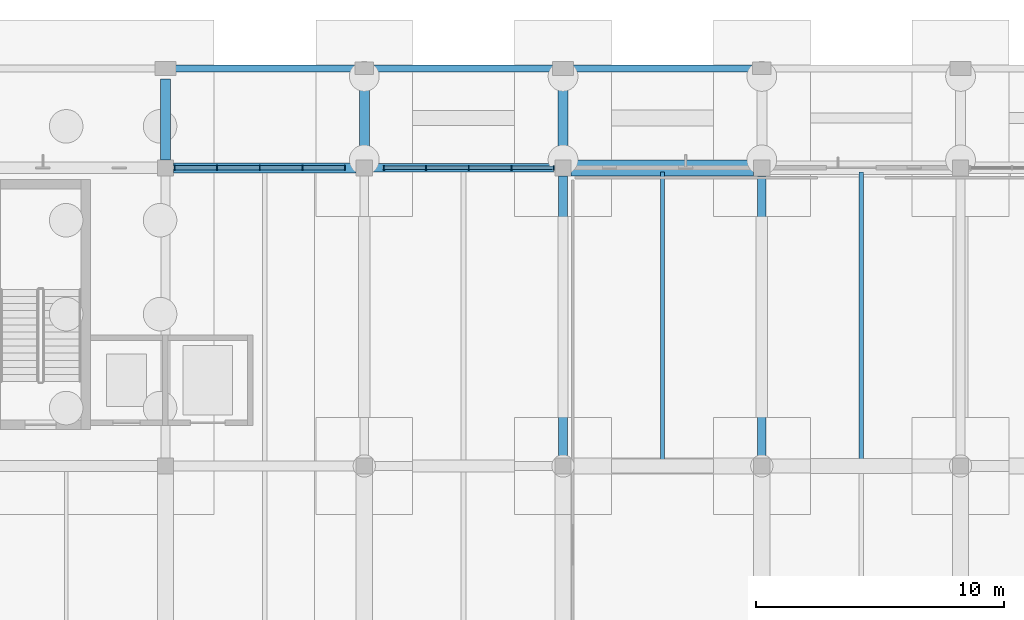
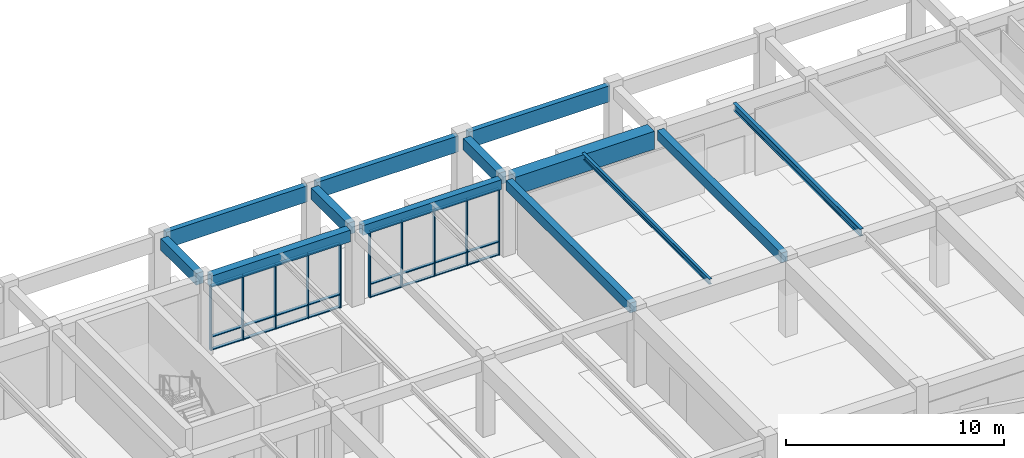
# One storey, part 31 of 84: 34 members, 13 beams, 2 elements without a shape of their own.
"""IFC4 building model written with IfcOpenShell, lengths in metres."""

from ifc_helpers import new_model, si_unit, direction, frame, origin, origin_2d, place, context, subcontext, project, spatial, rectangle, i_section, extrude, material, material_profile, profile_set, type_object, element, aggregate, save


model = new_model("IFC4")

# Units and contexts
model_context = context("Model", 3, precision=1e-05, world=origin(), true_north=direction((0.0, 1.0)))
body_context = subcontext(model_context, "Body", "Model", "MODEL_VIEW")
ifc_project = project(units=[si_unit("LENGTHUNIT", "METRE"), si_unit("AREAUNIT", "SQUARE_METRE"), si_unit("VOLUMEUNIT", "CUBIC_METRE"), si_unit("PLANEANGLEUNIT", "RADIAN"), si_unit("MASSUNIT", "GRAM", prefix="KILO")], contexts=[model_context])

# Site, building, storey
site_placement = place(None, origin())
site = spatial("IfcSite", under=ifc_project, at=site_placement, CompositionType="ELEMENT")
building_placement = place(site_placement, origin())
building = spatial("IfcBuilding", under=site, at=building_placement, Name="Larkveld Mobility Hub", CompositionType="ELEMENT")
storey_placement = place(building_placement, origin())
storey = spatial("IfcBuildingStorey", under=building, at=storey_placement, Name="L00", CompositionType="ELEMENT", Elevation=0.0)

# Beams
ifc_material_1 = material(Name="Concrete C40/50", Category="concrete")
ifc_material_profile_1 = material_profile(ifc_material_1, rectangle(XDim=0.35009765625, YDim=0.550048828125, at=origin_2d()), Name="RC BM 350x550")
ifc_profile_set_1 = profile_set([ifc_material_profile_1], Name="Concrete C40/50")
beam_type_1 = type_object("IfcBeamType", Name="BM-RC3555", PredefinedType="BEAM", material=ifc_profile_set_1)
beam_1_placement = place(storey_placement, frame((40.324951171875, 122.0, 3.985107421875), z_axis=(1.0, 0.0, 0.0), x_axis=(0.0, 1.0, 0.0)))
element("IfcBeam", 1, at=beam_1_placement, inside=storey, type_object=beam_type_1, Name="Primary E-W Girder L00-0089", PredefinedType="BEAM", context=body_context, shape_type="SweptSolid", body=[
    extrude(rectangle(XDim=0.35009765625, YDim=0.550048828125, at=origin_2d()), origin(), (0.0, 0.0, 1.0), 7.35009765625),
])
for number, where, z_axis, x_axis, name in (
    (2, (48.0, 110.324951171875, 3.985107421875), (0.0, 1.0, 0.0), (-1.0, 0.0, 0.0), "Primary N-S Girder L00-0133"),
    (3, (56.0, 110.324951171875, 3.985107421875), (0.0, 1.0, 0.0), (-1.0, 0.0, 0.0), "Primary N-S Girder L00-0136"),
):
    element("IfcBeam", number, at=place(storey_placement, frame(where, z_axis=z_axis, x_axis=x_axis)), inside=storey, type_object=beam_type_1, Name=name, PredefinedType="BEAM", context=body_context, shape_type="SweptSolid", body=[
        extrude(rectangle(XDim=0.35009765625, YDim=0.550048828125, at=origin_2d()), origin(), (0.0, 0.0, 1.0), 11.35009765625),
    ])
ifc_material_profile_2 = material_profile(ifc_material_1, rectangle(XDim=0.39990234375, YDim=0.64990234375, at=origin_2d()), Name="RC BM 400x650")
ifc_profile_set_2 = profile_set([ifc_material_profile_2], Name="Concrete C40/50")
beam_type_2 = type_object("IfcBeamType", Name="BM-RC4065", PredefinedType="BEAM", material=ifc_profile_set_2)
beam_2_placement = place(storey_placement, frame((32.324951171875, 122.0, 3.93505859375), z_axis=(1.0, 0.0, 0.0), x_axis=(0.0, 1.0, 0.0)))
element("IfcBeam", 4, at=beam_2_placement, inside=storey, type_object=beam_type_2, Name="Primary E-W Girder L00-0088", PredefinedType="BEAM", context=body_context, shape_type="SweptSolid", body=[
    extrude(rectangle(XDim=0.39990234375, YDim=0.64990234375, at=origin_2d()), origin(), (0.0, 0.0, 1.0), 7.35009765625),
])
beam_3_placement = place(storey_placement, frame((32.0, 122.324951171875, 3.93505859375), z_axis=(0.0, 1.0, 0.0), x_axis=(-1.0, 0.0, 0.0)))
element("IfcBeam", 5, at=beam_3_placement, inside=storey, type_object=beam_type_2, Name="Primary N-S Girder L00-0128", PredefinedType="BEAM", context=body_context, shape_type="SweptSolid", body=[
    extrude(rectangle(XDim=0.39990234375, YDim=0.64990234375, at=origin_2d()), origin(), (0.0, 0.0, 1.0), 3.25),
])
beam_4_placement = place(storey_placement, frame((40.0, 122.324951171875, 3.93505859375), z_axis=(0.0, 1.0, 0.0), x_axis=(-1.0, 0.0, 0.0)))
element("IfcBeam", 6, at=beam_4_placement, inside=storey, type_object=beam_type_2, Name="Primary N-S Girder L00-0131", PredefinedType="BEAM", context=body_context, shape_type="SweptSolid", body=[
    extrude(rectangle(XDim=0.39990234375, YDim=0.64990234375, at=origin_2d()), origin(), (0.0, 0.0, 1.0), 3.300048828125),
])
beam_5_placement = place(storey_placement, frame((48.0, 122.324951171875, 3.93505859375), z_axis=(0.0, 1.0, 0.0), x_axis=(-1.0, 0.0, 0.0)))
element("IfcBeam", 7, at=beam_5_placement, inside=storey, type_object=beam_type_2, Name="Primary N-S Girder L00-0134", PredefinedType="BEAM", context=body_context, shape_type="SweptSolid", body=[
    extrude(rectangle(XDim=0.39990234375, YDim=0.64990234375, at=origin_2d()), origin(), (0.0, 0.0, 1.0), 3.25),
])
ifc_material_profile_3 = material_profile(ifc_material_1, rectangle(XDim=0.64990234375, YDim=1.0, at=origin_2d()), Name="RC BM 650x1000")
ifc_profile_set_3 = profile_set([ifc_material_profile_3], Name="Concrete C40/50")
beam_type_3 = type_object("IfcBeamType", Name="BM-RC65100", PredefinedType="BEAM", material=ifc_profile_set_3)
beam_6_placement = place(storey_placement, frame((48.324951171875, 122.0, 3.760009765625), z_axis=(1.0, 0.0, 0.0), x_axis=(0.0, 1.0, 0.0)))
element("IfcBeam", 8, at=beam_6_placement, inside=storey, type_object=beam_type_3, Name="Primary E-W Girder L00-0090", PredefinedType="BEAM", context=body_context, shape_type="SweptSolid", body=[
    extrude(rectangle(XDim=0.64990234375, YDim=1.0, at=origin_2d()), origin(), (0.0, 0.0, 1.0), 7.35009765625),
])
ifc_material_2 = material(Name="Precast concrete C50/60", Category="concrete")
ifc_material_profile_4 = material_profile(ifc_material_2, rectangle(XDim=0.280029296875, YDim=0.89990234375, at=origin_2d()), Name="PC SP 280x900")
ifc_profile_set_4 = profile_set([ifc_material_profile_4], Name="Precast concrete C50/60")
beam_type_4 = type_object("IfcBeamType", Name="BM-SP2890", PredefinedType="SPANDREL", material=ifc_profile_set_4)
for number, where, z_axis, x_axis, name in (
    (9, (32.27490234375, 126.0, 3.81005859375), (1.0, 0.0, 0.0), (0.0, 1.0, 0.0), "Primary E-W Girder L00-0100"),
    (10, (40.25, 126.0, 3.81005859375), (1.0, 0.0, 0.0), (0.0, 1.0, 0.0), "Primary E-W Girder L00-0101"),
    (11, (48.27490234375, 126.0, 3.81005859375), (1.0, 0.0, 0.0), (0.0, 1.0, 0.0), "Primary E-W Girder L00-0102"),
):
    element("IfcBeam", number, at=place(storey_placement, frame(where, z_axis=z_axis, x_axis=x_axis)), inside=storey, type_object=beam_type_4, Name=name, PredefinedType="SPANDREL", context=body_context, shape_type="SweptSolid", body=[
        extrude(rectangle(XDim=0.280029296875, YDim=0.89990234375, at=origin_2d()), origin(), (0.0, 0.0, 1.0), 7.47509765625),
    ])
ifc_material_3 = material(Name="Steel S355JR", Category="steel")
ifc_material_profile_5 = material_profile(ifc_material_3, i_section(OverallWidth=0.14990234375, OverallDepth=0.300048828125, WebThickness=0.007080078125, FlangeThickness=0.0107421875, FilletRadius=0.014892578125, at=origin_2d()), Name="IPE 300")
ifc_profile_set_5 = profile_set([ifc_material_profile_5], Name="Steel S355JR")
beam_type_5 = type_object("IfcBeamType", Name="BM-STIPE300", PredefinedType="BEAM", material=ifc_profile_set_5)
beam_7_placement = place(storey_placement, frame((52.0, 110.169921875, 4.1201171875), z_axis=(0.0, 1.0, 0.0), x_axis=(-1.0, 0.0, 0.0)))
element("IfcBeam", 12, at=beam_7_placement, inside=storey, type_object=beam_type_5, Name="Bicycle Hall Secondary Beam L00-1171", PredefinedType="BEAM", context=body_context, shape_type="SweptSolid", body=[
    extrude(i_section(OverallWidth=0.14990234375, OverallDepth=0.300048828125, WebThickness=0.007080078125, FlangeThickness=0.0107421875, FilletRadius=0.014892578125, at=origin_2d()), origin(), (0.0, 0.0, 1.0), 11.66015625),
])
ifc_material_profile_6 = material_profile(ifc_material_3, i_section(OverallWidth=0.179931640625, OverallDepth=0.39990234375, WebThickness=0.008544921875, FlangeThickness=0.013427734375, FilletRadius=0.02099609375, at=origin_2d()), Name="IPE 400")
ifc_profile_set_6 = profile_set([ifc_material_profile_6], Name="Steel S355JR")
beam_type_6 = type_object("IfcBeamType", Name="BM-STIPE400", PredefinedType="BEAM", material=ifc_profile_set_6)
beam_8_placement = place(storey_placement, frame((60.0, 110.169921875, 4.070068359375), z_axis=(0.0, 1.0, 0.0), x_axis=(-1.0, 0.0, 0.0)))
element("IfcBeam", 13, at=beam_8_placement, inside=storey, type_object=beam_type_6, Name="Bicycle Hall Secondary Beam L00-1173", PredefinedType="BEAM", context=body_context, shape_type="SweptSolid", body=[
    extrude(i_section(OverallWidth=0.179931640625, OverallDepth=0.39990234375, WebThickness=0.008544921875, FlangeThickness=0.013427734375, FilletRadius=0.02099609375, at=origin_2d()), origin(), (0.0, 0.0, 1.0), 11.66015625),
])

# Curtain wall, members
ifc_material_4 = material(Name="Anodised aluminium 6063-T6", Category="aluminium")
curtain_wall_type_1 = type_object("IfcCurtainWallType", Name="CW-SYS-10", PredefinedType="NOTDEFINED", material=ifc_material_4)
curtain_wall_1_placement = place(storey_placement, origin())
curtain_wall_1 = element("IfcCurtainWall", 14, at=curtain_wall_1_placement, inside=storey, type_object=curtain_wall_type_1, Name="Bicycle Hall North Curtain Wall L00 CW-070", PredefinedType="NOTDEFINED")
ifc_material_profile_7 = material_profile(ifc_material_4, rectangle(XDim=0.050048828125, YDim=0.179931640625, at=origin_2d()), Name="ALU MULL 50x180")
ifc_profile_set_7 = profile_set([ifc_material_profile_7], Name="Anodised aluminium 6063-T6")
member_type_1 = type_object("IfcMemberType", Name="CW-MUL-02", PredefinedType="MULLION", material=ifc_profile_set_7)
member_1_placement = place(storey_placement, frame((47.625, 122.0, -0.001953125), z_axis=(0.0, 0.0, 1.0), x_axis=(-1.0, 0.0, 0.0)))
member_1 = element("IfcMember", 15, at=member_1_placement, type_object=member_type_1, Name="CW10 mullion 1", PredefinedType="MULLION", context=body_context, shape_type="SweptSolid", body=[
    extrude(rectangle(XDim=0.050048828125, YDim=0.179931640625, at=origin_2d()), origin(), (0.0, 0.0, 1.0), 3.7119140625),
])
member_2_placement = place(storey_placement, frame((45.928955078125, 122.0, -0.001953125), z_axis=(0.0, 0.0, 1.0), x_axis=(-1.0, 0.0, 0.0)))
member_2 = element("IfcMember", 16, at=member_2_placement, type_object=member_type_1, Name="CW10 mullion 2", PredefinedType="MULLION", context=body_context, shape_type="SweptSolid", body=[
    extrude(rectangle(XDim=0.050048828125, YDim=0.179931640625, at=origin_2d()), origin(), (0.0, 0.0, 1.0), 3.7119140625),
])
member_3_placement = place(storey_placement, frame((44.20703125, 122.0, -0.001953125), z_axis=(0.0, 0.0, 1.0), x_axis=(-1.0, 0.0, 0.0)))
member_3 = element("IfcMember", 17, at=member_3_placement, type_object=member_type_1, Name="CW10 mullion 3", PredefinedType="MULLION", context=body_context, shape_type="SweptSolid", body=[
    extrude(rectangle(XDim=0.050048828125, YDim=0.179931640625, at=origin_2d()), origin(), (0.0, 0.0, 1.0), 3.7119140625),
])
member_4_placement = place(storey_placement, frame((42.486083984375, 122.0, -0.001953125), z_axis=(0.0, 0.0, 1.0), x_axis=(-1.0, 0.0, 0.0)))
member_4 = element("IfcMember", 18, at=member_4_placement, type_object=member_type_1, Name="CW10 mullion 4", PredefinedType="MULLION", context=body_context, shape_type="SweptSolid", body=[
    extrude(rectangle(XDim=0.050048828125, YDim=0.179931640625, at=origin_2d()), origin(), (0.0, 0.0, 1.0), 3.7119140625),
])
member_5_placement = place(storey_placement, frame((40.7900390625, 122.0, -0.001953125), z_axis=(0.0, 0.0, 1.0), x_axis=(-1.0, 0.0, 0.0)))
member_5 = element("IfcMember", 19, at=member_5_placement, type_object=member_type_1, Name="CW10 mullion 5", PredefinedType="MULLION", context=body_context, shape_type="SweptSolid", body=[
    extrude(rectangle(XDim=0.050048828125, YDim=0.179931640625, at=origin_2d()), origin(), (0.0, 0.0, 1.0), 3.7119140625),
])

curtain_wall_type_2 = type_object("IfcCurtainWallType", Name="CW-SYS-11", PredefinedType="NOTDEFINED", material=ifc_material_4)
curtain_wall_2_placement = place(storey_placement, origin())
curtain_wall_2 = element("IfcCurtainWall", 20, at=curtain_wall_2_placement, inside=storey, type_object=curtain_wall_type_2, Name="Bicycle Hall North Curtain Wall L00 CW-071", PredefinedType="NOTDEFINED")
ifc_material_profile_8 = material_profile(ifc_material_4, rectangle(XDim=0.050048828125, YDim=0.2099609375, at=origin_2d()), Name="ALU MULL 50x210")
ifc_profile_set_8 = profile_set([ifc_material_profile_8], Name="Anodised aluminium 6063-T6")
member_type_2 = type_object("IfcMemberType", Name="CW-MUL-03", PredefinedType="MULLION", material=ifc_profile_set_8)
member_6_placement = place(storey_placement, frame((39.2099609375, 122.0, -0.001953125), z_axis=(0.0, 0.0, 1.0), x_axis=(-1.0, 0.0, 0.0)))
member_6 = element("IfcMember", 21, at=member_6_placement, type_object=member_type_2, Name="CW11 mullion 1", PredefinedType="MULLION", context=body_context, shape_type="SweptSolid", body=[
    extrude(rectangle(XDim=0.050048828125, YDim=0.2099609375, at=origin_2d()), origin(), (0.0, 0.0, 1.0), 3.612060546875),
])
member_7_placement = place(storey_placement, frame((37.513916015625, 122.0, -0.001953125), z_axis=(0.0, 0.0, 1.0), x_axis=(-1.0, 0.0, 0.0)))
member_7 = element("IfcMember", 22, at=member_7_placement, type_object=member_type_2, Name="CW11 mullion 2", PredefinedType="MULLION", context=body_context, shape_type="SweptSolid", body=[
    extrude(rectangle(XDim=0.050048828125, YDim=0.2099609375, at=origin_2d()), origin(), (0.0, 0.0, 1.0), 3.612060546875),
])
member_8_placement = place(storey_placement, frame((35.7919921875, 122.0, -0.001953125), z_axis=(0.0, 0.0, 1.0), x_axis=(-1.0, 0.0, 0.0)))
member_8 = element("IfcMember", 23, at=member_8_placement, type_object=member_type_2, Name="CW11 mullion 3", PredefinedType="MULLION", context=body_context, shape_type="SweptSolid", body=[
    extrude(rectangle(XDim=0.050048828125, YDim=0.2099609375, at=origin_2d()), origin(), (0.0, 0.0, 1.0), 3.612060546875),
])
member_9_placement = place(storey_placement, frame((34.071044921875, 122.0, -0.001953125), z_axis=(0.0, 0.0, 1.0), x_axis=(-1.0, 0.0, 0.0)))
member_9 = element("IfcMember", 24, at=member_9_placement, type_object=member_type_2, Name="CW11 mullion 4", PredefinedType="MULLION", context=body_context, shape_type="SweptSolid", body=[
    extrude(rectangle(XDim=0.050048828125, YDim=0.2099609375, at=origin_2d()), origin(), (0.0, 0.0, 1.0), 3.612060546875),
])
member_10_placement = place(storey_placement, frame((32.375, 122.0, -0.001953125), z_axis=(0.0, 0.0, 1.0), x_axis=(-1.0, 0.0, 0.0)))
member_10 = element("IfcMember", 25, at=member_10_placement, type_object=member_type_2, Name="CW11 mullion 5", PredefinedType="MULLION", context=body_context, shape_type="SweptSolid", body=[
    extrude(rectangle(XDim=0.050048828125, YDim=0.2099609375, at=origin_2d()), origin(), (0.0, 0.0, 1.0), 3.612060546875),
])

# Member
ifc_material_profile_9 = material_profile(ifc_material_4, rectangle(XDim=0.14990234375, YDim=0.050048828125, at=origin_2d()), Name="ALU TRAN 50x150")
ifc_profile_set_9 = profile_set([ifc_material_profile_9], Name="Anodised aluminium 6063-T6")
member_type_3 = type_object("IfcMemberType", Name="CW-TRN-02", PredefinedType="USERDEFINED", material=ifc_profile_set_9)
member_11_placement = place(storey_placement, frame((47.614990234375, 122.0, 0.030029296875), z_axis=(-1.0, 0.0, 0.0), x_axis=(0.0, -1.0, 0.0)))
member_11 = element("IfcMember", 26, at=member_11_placement, type_object=member_type_3, Name="CW10 transom 1.1", ObjectType="TRANSOM", PredefinedType="USERDEFINED", context=body_context, shape_type="SweptSolid", body=[
    extrude(rectangle(XDim=0.14990234375, YDim=0.050048828125, at=origin_2d()), origin(), (0.0, 0.0, 1.0), 1.6708984375),
])

member_12_placement = place(storey_placement, frame((47.614990234375, 122.0, 0.75), z_axis=(-1.0, 0.0, 0.0), x_axis=(0.0, -1.0, 0.0)))
member_12 = element("IfcMember", 27, at=member_12_placement, type_object=member_type_3, Name="CW10 transom 1.2", ObjectType="TRANSOM", PredefinedType="USERDEFINED", context=body_context, shape_type="SweptSolid", body=[
    extrude(rectangle(XDim=0.14990234375, YDim=0.050048828125, at=origin_2d()), origin(), (0.0, 0.0, 1.0), 1.6708984375),
])

member_13_placement = place(storey_placement, frame((47.614990234375, 122.0, 3.677978515625), z_axis=(-1.0, 0.0, 0.0), x_axis=(0.0, -1.0, 0.0)))
member_13 = element("IfcMember", 28, at=member_13_placement, type_object=member_type_3, Name="CW10 transom 1.3", ObjectType="TRANSOM", PredefinedType="USERDEFINED", context=body_context, shape_type="SweptSolid", body=[
    extrude(rectangle(XDim=0.14990234375, YDim=0.050048828125, at=origin_2d()), origin(), (0.0, 0.0, 1.0), 1.6708984375),
])

member_14_placement = place(storey_placement, frame((45.9140625, 122.0, 0.030029296875), z_axis=(-1.0, 0.0, 0.0), x_axis=(0.0, -1.0, 0.0)))
member_14 = element("IfcMember", 29, at=member_14_placement, type_object=member_type_3, Name="CW10 transom 2.1", ObjectType="TRANSOM", PredefinedType="USERDEFINED", context=body_context, shape_type="SweptSolid", body=[
    extrude(rectangle(XDim=0.14990234375, YDim=0.050048828125, at=origin_2d()), origin(), (0.0, 0.0, 1.0), 1.692138671875),
])

member_15_placement = place(storey_placement, frame((45.9140625, 122.0, 0.75), z_axis=(-1.0, 0.0, 0.0), x_axis=(0.0, -1.0, 0.0)))
member_15 = element("IfcMember", 30, at=member_15_placement, type_object=member_type_3, Name="CW10 transom 2.2", ObjectType="TRANSOM", PredefinedType="USERDEFINED", context=body_context, shape_type="SweptSolid", body=[
    extrude(rectangle(XDim=0.14990234375, YDim=0.050048828125, at=origin_2d()), origin(), (0.0, 0.0, 1.0), 1.692138671875),
])

member_16_placement = place(storey_placement, frame((45.9140625, 122.0, 3.677978515625), z_axis=(-1.0, 0.0, 0.0), x_axis=(0.0, -1.0, 0.0)))
member_16 = element("IfcMember", 31, at=member_16_placement, type_object=member_type_3, Name="CW10 transom 2.3", ObjectType="TRANSOM", PredefinedType="USERDEFINED", context=body_context, shape_type="SweptSolid", body=[
    extrude(rectangle(XDim=0.14990234375, YDim=0.050048828125, at=origin_2d()), origin(), (0.0, 0.0, 1.0), 1.692138671875),
])

member_17_placement = place(storey_placement, frame((44.19189453125, 122.0, 0.030029296875), z_axis=(-1.0, 0.0, 0.0), x_axis=(0.0, -1.0, 0.0)))
member_17 = element("IfcMember", 32, at=member_17_placement, type_object=member_type_3, Name="CW10 transom 3.1", ObjectType="TRANSOM", PredefinedType="USERDEFINED", context=body_context, shape_type="SweptSolid", body=[
    extrude(rectangle(XDim=0.14990234375, YDim=0.050048828125, at=origin_2d()), origin(), (0.0, 0.0, 1.0), 1.69091796875),
])

member_18_placement = place(storey_placement, frame((44.19189453125, 122.0, 0.75), z_axis=(-1.0, 0.0, 0.0), x_axis=(0.0, -1.0, 0.0)))
member_18 = element("IfcMember", 33, at=member_18_placement, type_object=member_type_3, Name="CW10 transom 3.2", ObjectType="TRANSOM", PredefinedType="USERDEFINED", context=body_context, shape_type="SweptSolid", body=[
    extrude(rectangle(XDim=0.14990234375, YDim=0.050048828125, at=origin_2d()), origin(), (0.0, 0.0, 1.0), 1.69091796875),
])

member_19_placement = place(storey_placement, frame((44.19189453125, 122.0, 3.677978515625), z_axis=(-1.0, 0.0, 0.0), x_axis=(0.0, -1.0, 0.0)))
member_19 = element("IfcMember", 34, at=member_19_placement, type_object=member_type_3, Name="CW10 transom 3.3", ObjectType="TRANSOM", PredefinedType="USERDEFINED", context=body_context, shape_type="SweptSolid", body=[
    extrude(rectangle(XDim=0.14990234375, YDim=0.050048828125, at=origin_2d()), origin(), (0.0, 0.0, 1.0), 1.69091796875),
])

member_20_placement = place(storey_placement, frame((42.470947265625, 122.0, 0.030029296875), z_axis=(-1.0, 0.0, 0.0), x_axis=(0.0, -1.0, 0.0)))
member_20 = element("IfcMember", 35, at=member_20_placement, type_object=member_type_3, Name="CW10 transom 4.1", ObjectType="TRANSOM", PredefinedType="USERDEFINED", context=body_context, shape_type="SweptSolid", body=[
    extrude(rectangle(XDim=0.14990234375, YDim=0.050048828125, at=origin_2d()), origin(), (0.0, 0.0, 1.0), 1.6708984375),
])

member_21_placement = place(storey_placement, frame((42.470947265625, 122.0, 0.75), z_axis=(-1.0, 0.0, 0.0), x_axis=(0.0, -1.0, 0.0)))
member_21 = element("IfcMember", 36, at=member_21_placement, type_object=member_type_3, Name="CW10 transom 4.2", ObjectType="TRANSOM", PredefinedType="USERDEFINED", context=body_context, shape_type="SweptSolid", body=[
    extrude(rectangle(XDim=0.14990234375, YDim=0.050048828125, at=origin_2d()), origin(), (0.0, 0.0, 1.0), 1.6708984375),
])

member_22_placement = place(storey_placement, frame((42.470947265625, 122.0, 3.677978515625), z_axis=(-1.0, 0.0, 0.0), x_axis=(0.0, -1.0, 0.0)))
member_22 = element("IfcMember", 37, at=member_22_placement, type_object=member_type_3, Name="CW10 transom 4.3", ObjectType="TRANSOM", PredefinedType="USERDEFINED", context=body_context, shape_type="SweptSolid", body=[
    extrude(rectangle(XDim=0.14990234375, YDim=0.050048828125, at=origin_2d()), origin(), (0.0, 0.0, 1.0), 1.6708984375),
])

aggregate(curtain_wall_1, [member_1, member_2, member_3, member_4, member_5, member_11, member_12, member_13, member_14, member_15, member_16, member_17, member_18, member_19, member_20, member_21, member_22])

ifc_material_profile_10 = material_profile(ifc_material_4, rectangle(XDim=0.169921875, YDim=0.050048828125, at=origin_2d()), Name="ALU TRAN 50x170")
ifc_profile_set_10 = profile_set([ifc_material_profile_10], Name="Anodised aluminium 6063-T6")
member_type_4 = type_object("IfcMemberType", Name="CW-TRN-03", PredefinedType="USERDEFINED", material=ifc_profile_set_10)
member_23_placement = place(storey_placement, frame((39.199951171875, 122.0, 0.030029296875), z_axis=(-1.0, 0.0, 0.0), x_axis=(0.0, -1.0, 0.0)))
member_23 = element("IfcMember", 38, at=member_23_placement, type_object=member_type_4, Name="CW11 transom 1.1", ObjectType="TRANSOM", PredefinedType="USERDEFINED", context=body_context, shape_type="SweptSolid", body=[
    extrude(rectangle(XDim=0.169921875, YDim=0.050048828125, at=origin_2d()), origin(), (0.0, 0.0, 1.0), 1.6708984375),
])

member_24_placement = place(storey_placement, frame((39.199951171875, 122.0, 0.75), z_axis=(-1.0, 0.0, 0.0), x_axis=(0.0, -1.0, 0.0)))
member_24 = element("IfcMember", 39, at=member_24_placement, type_object=member_type_4, Name="CW11 transom 1.2", ObjectType="TRANSOM", PredefinedType="USERDEFINED", context=body_context, shape_type="SweptSolid", body=[
    extrude(rectangle(XDim=0.169921875, YDim=0.050048828125, at=origin_2d()), origin(), (0.0, 0.0, 1.0), 1.6708984375),
])

member_25_placement = place(storey_placement, frame((39.199951171875, 122.0, 3.577880859375), z_axis=(-1.0, 0.0, 0.0), x_axis=(0.0, -1.0, 0.0)))
member_25 = element("IfcMember", 40, at=member_25_placement, type_object=member_type_4, Name="CW11 transom 1.3", ObjectType="TRANSOM", PredefinedType="USERDEFINED", context=body_context, shape_type="SweptSolid", body=[
    extrude(rectangle(XDim=0.169921875, YDim=0.050048828125, at=origin_2d()), origin(), (0.0, 0.0, 1.0), 1.6708984375),
])

member_26_placement = place(storey_placement, frame((37.4990234375, 122.0, 0.030029296875), z_axis=(-1.0, 0.0, 0.0), x_axis=(0.0, -1.0, 0.0)))
member_26 = element("IfcMember", 41, at=member_26_placement, type_object=member_type_4, Name="CW11 transom 2.1", ObjectType="TRANSOM", PredefinedType="USERDEFINED", context=body_context, shape_type="SweptSolid", body=[
    extrude(rectangle(XDim=0.169921875, YDim=0.050048828125, at=origin_2d()), origin(), (0.0, 0.0, 1.0), 1.692138671875),
])

member_27_placement = place(storey_placement, frame((37.4990234375, 122.0, 0.75), z_axis=(-1.0, 0.0, 0.0), x_axis=(0.0, -1.0, 0.0)))
member_27 = element("IfcMember", 42, at=member_27_placement, type_object=member_type_4, Name="CW11 transom 2.2", ObjectType="TRANSOM", PredefinedType="USERDEFINED", context=body_context, shape_type="SweptSolid", body=[
    extrude(rectangle(XDim=0.169921875, YDim=0.050048828125, at=origin_2d()), origin(), (0.0, 0.0, 1.0), 1.692138671875),
])

member_28_placement = place(storey_placement, frame((37.4990234375, 122.0, 3.577880859375), z_axis=(-1.0, 0.0, 0.0), x_axis=(0.0, -1.0, 0.0)))
member_28 = element("IfcMember", 43, at=member_28_placement, type_object=member_type_4, Name="CW11 transom 2.3", ObjectType="TRANSOM", PredefinedType="USERDEFINED", context=body_context, shape_type="SweptSolid", body=[
    extrude(rectangle(XDim=0.169921875, YDim=0.050048828125, at=origin_2d()), origin(), (0.0, 0.0, 1.0), 1.692138671875),
])

member_29_placement = place(storey_placement, frame((35.777099609375, 122.0, 0.030029296875), z_axis=(-1.0, 0.0, 0.0), x_axis=(0.0, -1.0, 0.0)))
member_29 = element("IfcMember", 44, at=member_29_placement, type_object=member_type_4, Name="CW11 transom 3.1", ObjectType="TRANSOM", PredefinedType="USERDEFINED", context=body_context, shape_type="SweptSolid", body=[
    extrude(rectangle(XDim=0.169921875, YDim=0.050048828125, at=origin_2d()), origin(), (0.0, 0.0, 1.0), 1.691162109375),
])

member_30_placement = place(storey_placement, frame((35.777099609375, 122.0, 0.75), z_axis=(-1.0, 0.0, 0.0), x_axis=(0.0, -1.0, 0.0)))
member_30 = element("IfcMember", 45, at=member_30_placement, type_object=member_type_4, Name="CW11 transom 3.2", ObjectType="TRANSOM", PredefinedType="USERDEFINED", context=body_context, shape_type="SweptSolid", body=[
    extrude(rectangle(XDim=0.169921875, YDim=0.050048828125, at=origin_2d()), origin(), (0.0, 0.0, 1.0), 1.691162109375),
])

member_31_placement = place(storey_placement, frame((35.777099609375, 122.0, 3.577880859375), z_axis=(-1.0, 0.0, 0.0), x_axis=(0.0, -1.0, 0.0)))
member_31 = element("IfcMember", 46, at=member_31_placement, type_object=member_type_4, Name="CW11 transom 3.3", ObjectType="TRANSOM", PredefinedType="USERDEFINED", context=body_context, shape_type="SweptSolid", body=[
    extrude(rectangle(XDim=0.169921875, YDim=0.050048828125, at=origin_2d()), origin(), (0.0, 0.0, 1.0), 1.691162109375),
])

member_32_placement = place(storey_placement, frame((34.055908203125, 122.0, 0.030029296875), z_axis=(-1.0, 0.0, 0.0), x_axis=(0.0, -1.0, 0.0)))
member_32 = element("IfcMember", 47, at=member_32_placement, type_object=member_type_4, Name="CW11 transom 4.1", ObjectType="TRANSOM", PredefinedType="USERDEFINED", context=body_context, shape_type="SweptSolid", body=[
    extrude(rectangle(XDim=0.169921875, YDim=0.050048828125, at=origin_2d()), origin(), (0.0, 0.0, 1.0), 1.6708984375),
])

member_33_placement = place(storey_placement, frame((34.055908203125, 122.0, 0.75), z_axis=(-1.0, 0.0, 0.0), x_axis=(0.0, -1.0, 0.0)))
member_33 = element("IfcMember", 48, at=member_33_placement, type_object=member_type_4, Name="CW11 transom 4.2", ObjectType="TRANSOM", PredefinedType="USERDEFINED", context=body_context, shape_type="SweptSolid", body=[
    extrude(rectangle(XDim=0.169921875, YDim=0.050048828125, at=origin_2d()), origin(), (0.0, 0.0, 1.0), 1.6708984375),
])

member_34_placement = place(storey_placement, frame((34.055908203125, 122.0, 3.577880859375), z_axis=(-1.0, 0.0, 0.0), x_axis=(0.0, -1.0, 0.0)))
member_34 = element("IfcMember", 49, at=member_34_placement, type_object=member_type_4, Name="CW11 transom 4.3", ObjectType="TRANSOM", PredefinedType="USERDEFINED", context=body_context, shape_type="SweptSolid", body=[
    extrude(rectangle(XDim=0.169921875, YDim=0.050048828125, at=origin_2d()), origin(), (0.0, 0.0, 1.0), 1.6708984375),
])

aggregate(curtain_wall_2, [member_6, member_7, member_8, member_9, member_10, member_23, member_24, member_25, member_26, member_27, member_28, member_29, member_30, member_31, member_32, member_33, member_34])

save(model, "model.ifc")
